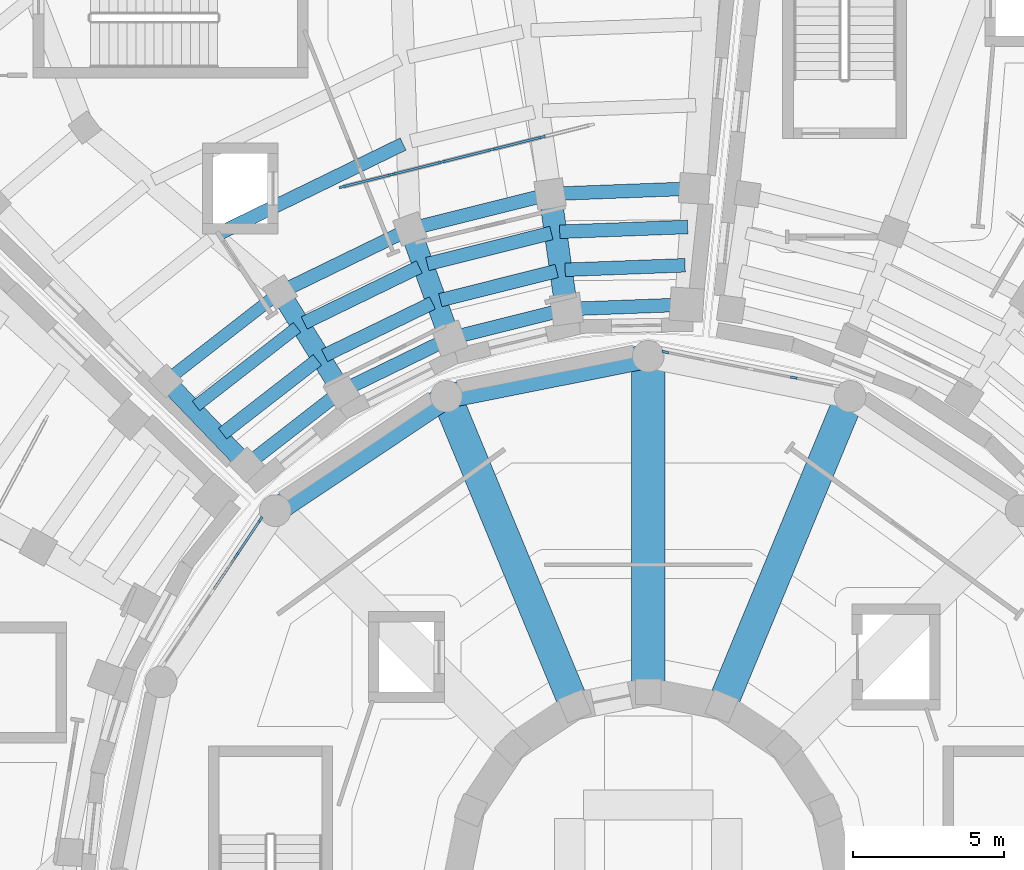
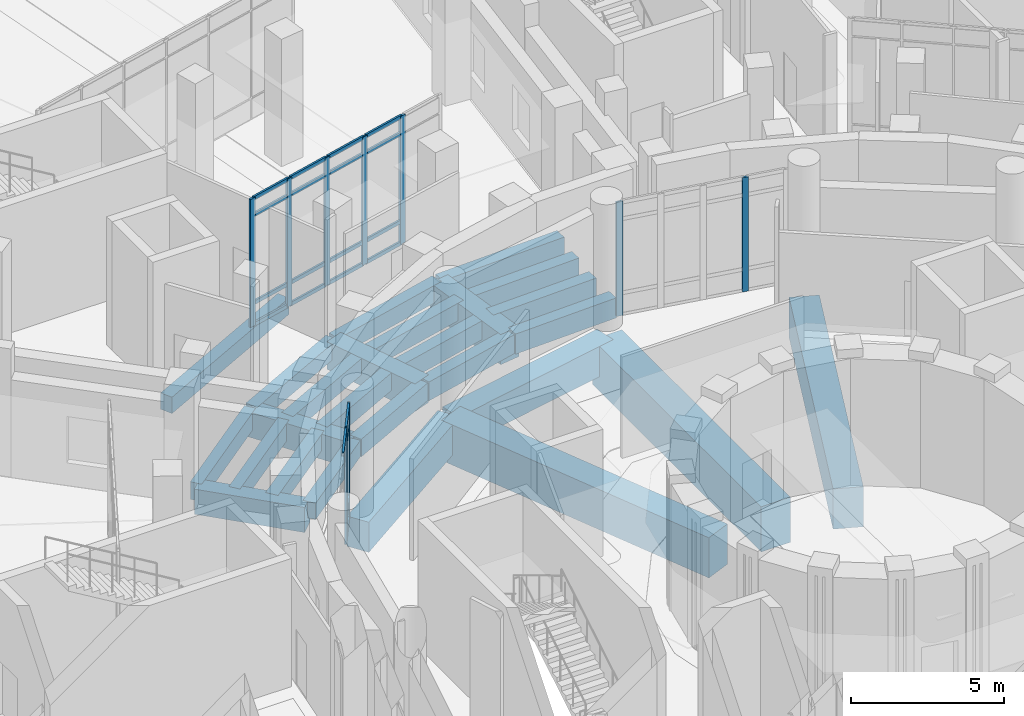
# One storey, part 23 of 74: 30 members, 26 beams, 3 elements without a shape of their own.
"""IFC4 building model written with IfcOpenShell, lengths in metres."""

from ifc_helpers import new_model, si_unit, direction, frame, origin, origin_2d, place, context, subcontext, project, spatial, rectangle, extrude, material, material_profile, profile_set, type_object, element, aggregate, save


model = new_model("IFC4")

# Units and contexts
model_context = context("Model", 3, precision=1e-05, world=origin(), true_north=direction((0.0, 1.0)))
body_context = subcontext(model_context, "Body", "Model", "MODEL_VIEW")
ifc_project = project(units=[si_unit("LENGTHUNIT", "METRE"), si_unit("AREAUNIT", "SQUARE_METRE"), si_unit("VOLUMEUNIT", "CUBIC_METRE"), si_unit("PLANEANGLEUNIT", "RADIAN"), si_unit("MASSUNIT", "GRAM", prefix="KILO")], contexts=[model_context])

# Site, building, storey
site_placement = place(None, origin())
site = spatial("IfcSite", under=ifc_project, at=site_placement, CompositionType="ELEMENT")
building_placement = place(site_placement, origin())
building = spatial("IfcBuilding", under=site, at=building_placement, Name="Soyqirgoq Riverine Aquarium", CompositionType="ELEMENT")
storey_placement = place(building_placement, origin())
storey = spatial("IfcBuildingStorey", under=building, at=storey_placement, Name="L01", CompositionType="ELEMENT", Elevation=0.0)

# Beams
ifc_material_1 = material(Name="Concrete C40/50", Category="concrete")
ifc_material_profile_1 = material_profile(ifc_material_1, rectangle(XDim=0.39990234375, YDim=0.699951171875, at=origin_2d()), Name="RC 400x700")
ifc_profile_set_1 = profile_set([ifc_material_profile_1], Name="Concrete C40/50")
beam_type_1 = type_object("IfcBeamType", Name="Beam_RC_400x700", PredefinedType="BEAM", material=ifc_profile_set_1)
beam_1_placement = place(storey_placement, frame((44.38037109375, 75.404296875, -0.699951171875), z_axis=(-0.789625269343, -0.613589385514, 0.0), x_axis=(0.613589385514, -0.789625269343, 0.0)))
element("IfcBeam", 1, at=beam_1_placement, inside=storey, type_object=beam_type_1, Name="V4 L01 Secondary Floor Joist 0497", PredefinedType="BEAM", context=body_context, shape_type="SweptSolid", body=[
    extrude(rectangle(XDim=0.39990234375, YDim=0.699951171875, at=origin_2d()), origin(), (0.0, 0.0, 1.0), 4.235595703125),
])
beam_2_placement = place(storey_placement, frame((43.780029296875, 76.5380859375, -0.699951171875), z_axis=(-0.789613455766, -0.613604588048, 0.0), x_axis=(0.613604588048, -0.789613455766, 0.0)))
element("IfcBeam", 2, at=beam_2_placement, inside=storey, type_object=beam_type_1, Name="V4 L01 Wedge Chord Beam 0501", PredefinedType="BEAM", context=body_context, shape_type="SweptSolid", body=[
    extrude(rectangle(XDim=0.39990234375, YDim=0.699951171875, at=origin_2d()), origin(), (0.0, 0.0, 1.0), 4.6787109375),
])
ifc_material_2 = material(Name="Concrete C40/50", Category="concrete")
ifc_material_profile_2 = material_profile(ifc_material_2, rectangle(XDim=0.449951171875, YDim=0.64990234375, at=origin_2d()), Name="RC 450x650")
ifc_profile_set_2 = profile_set([ifc_material_profile_2], Name="Concrete C40/50")
beam_type_2 = type_object("IfcBeamType", Name="Beam_RC_450x650", PredefinedType="BEAM", material=ifc_profile_set_2)
beam_3_placement = place(storey_placement, frame((45.814453125, 73.26953125, -0.675048828125), z_axis=(-0.789599462758, -0.613622594444, 0.0), x_axis=(0.613622594444, -0.789599462758, 0.0)))
element("IfcBeam", 3, at=beam_3_placement, inside=storey, type_object=beam_type_2, Name="V4 L01 Wedge Chord Beam 0489", PredefinedType="BEAM", context=body_context, shape_type="SweptSolid", body=[
    extrude(rectangle(XDim=0.449951171875, YDim=0.64990234375, at=origin_2d()), origin(), (0.0, 0.0, 1.0), 3.88037109375),
])
beam_4_placement = place(storey_placement, frame((48.425048828125, 77.40478515625, -0.675048828125), z_axis=(-0.899182988599, -0.437572797388, 0.0), x_axis=(0.437572797388, -0.899182988599, 0.0)))
element("IfcBeam", 4, at=beam_4_placement, inside=storey, type_object=beam_type_2, Name="V4 L01 Secondary Floor Joist 0495", PredefinedType="BEAM", context=body_context, shape_type="SweptSolid", body=[
    extrude(rectangle(XDim=0.449951171875, YDim=0.64990234375, at=origin_2d()), origin(), (0.0, 0.0, 1.0), 4.2353515625),
])
beam_5_placement = place(storey_placement, frame((45.0517578125, 74.32568359375, -0.675048828125), z_axis=(-0.789623525917, -0.613591629114, 0.0), x_axis=(0.613591629114, -0.789623525917, 0.0)))
element("IfcBeam", 5, at=beam_5_placement, inside=storey, type_object=beam_type_2, Name="V4 L01 Secondary Floor Joist 0496", PredefinedType="BEAM", context=body_context, shape_type="SweptSolid", body=[
    extrude(rectangle(XDim=0.449951171875, YDim=0.64990234375, at=origin_2d()), origin(), (0.0, 0.0, 1.0), 3.97216796875),
])
beam_6_placement = place(storey_placement, frame((48.0712890625, 78.637939453125, -0.675048828125), z_axis=(-0.899186813611, -0.437564937156, 0.0), x_axis=(0.437564937156, -0.899186813611, 0.0)))
element("IfcBeam", 6, at=beam_6_placement, inside=storey, type_object=beam_type_2, Name="V4 L01 Wedge Chord Beam 0500", PredefinedType="BEAM", context=body_context, shape_type="SweptSolid", body=[
    extrude(rectangle(XDim=0.449951171875, YDim=0.64990234375, at=origin_2d()), origin(), (0.0, 0.0, 1.0), 4.678466796875),
])
beam_7_placement = place(storey_placement, frame((47.8896484375, 81.47119140625, -0.675048828125), z_axis=(-0.899178845538, -0.437581311, 0.0), x_axis=(0.437581311, -0.899178845538, 0.0)))
element("IfcBeam", 7, at=beam_7_placement, inside=storey, type_object=beam_type_2, Name="V4 L01 Secondary Floor Joist 0506", PredefinedType="BEAM", context=body_context, shape_type="SweptSolid", body=[
    extrude(rectangle(XDim=0.449951171875, YDim=0.64990234375, at=origin_2d()), origin(), (0.0, 0.0, 1.0), 6.831298828125),
])
ifc_material_3 = material(Name="Concrete C40/50", Category="concrete")
ifc_material_profile_3 = material_profile(ifc_material_3, rectangle(XDim=0.449951171875, YDim=0.699951171875, at=origin_2d()), Name="RC 450x700")
ifc_profile_set_3 = profile_set([ifc_material_profile_3], Name="Concrete C40/50")
beam_type_3 = type_object("IfcBeamType", Name="Beam_RC_450x700", PredefinedType="BEAM", material=ifc_profile_set_3)
beam_8_placement = place(storey_placement, frame((49.38818359375, 75.020263671875, -0.699951171875), z_axis=(-0.899182237982, -0.437574339852, 0.0), x_axis=(0.437574339852, -0.899182237982, 0.0)))
element("IfcBeam", 8, at=beam_8_placement, inside=storey, type_object=beam_type_3, Name="V4 L01 Wedge Chord Beam 0488", PredefinedType="BEAM", context=body_context, shape_type="SweptSolid", body=[
    extrude(rectangle(XDim=0.449951171875, YDim=0.699951171875, at=origin_2d()), origin(), (0.0, 0.0, 1.0), 3.88037109375),
])
beam_9_placement = place(storey_placement, frame((52.79541015625, 78.5283203125, -0.699951171875), z_axis=(-0.970078041124, -0.242793315658, 0.0), x_axis=(0.242793315658, -0.970078041124, 0.0)))
element("IfcBeam", 9, at=beam_9_placement, inside=storey, type_object=beam_type_3, Name="V4 L01 Secondary Floor Joist 0493", PredefinedType="BEAM", context=body_context, shape_type="SweptSolid", body=[
    extrude(rectangle(XDim=0.449951171875, YDim=0.699951171875, at=origin_2d()), origin(), (0.0, 0.0, 1.0), 4.2353515625),
])
beam_10_placement = place(storey_placement, frame((48.859619140625, 76.2109375, -0.699951171875), z_axis=(-0.899182148298, -0.437574524146, 0.0), x_axis=(0.437574524146, -0.899182148298, 0.0)))
element("IfcBeam", 10, at=beam_10_placement, inside=storey, type_object=beam_type_3, Name="V4 L01 Secondary Floor Joist 0494", PredefinedType="BEAM", context=body_context, shape_type="SweptSolid", body=[
    extrude(rectangle(XDim=0.449951171875, YDim=0.699951171875, at=origin_2d()), origin(), (0.0, 0.0, 1.0), 3.971923828125),
])
beam_11_placement = place(storey_placement, frame((52.70361328125, 79.807861328125, -0.699951171875), z_axis=(-0.970090297051, -0.242744341987, 0.0), x_axis=(0.242744341987, -0.970090297051, 0.0)))
element("IfcBeam", 11, at=beam_11_placement, inside=storey, type_object=beam_type_3, Name="V4 L01 Wedge Chord Beam 0499", PredefinedType="BEAM", context=body_context, shape_type="SweptSolid", body=[
    extrude(rectangle(XDim=0.449951171875, YDim=0.699951171875, at=origin_2d()), origin(), (0.0, 0.0, 1.0), 4.6787109375),
])
ifc_material_4 = material(Name="Concrete C40/50", Category="concrete")
ifc_material_profile_4 = material_profile(ifc_material_4, rectangle(XDim=0.449951171875, YDim=0.75, at=origin_2d()), Name="RC 450x750")
ifc_profile_set_4 = profile_set([ifc_material_profile_4], Name="Concrete C40/50")
beam_type_4 = type_object("IfcBeamType", Name="Beam_RC_450x750", PredefinedType="BEAM", material=ifc_profile_set_4)
beam_12_placement = place(storey_placement, frame((53.24609375, 75.996337890625, -0.72509765625), z_axis=(-0.970079552948, -0.242787275104, 0.0), x_axis=(0.242787275104, -0.970079552948, 0.0)))
element("IfcBeam", 12, at=beam_12_placement, inside=storey, type_object=beam_type_4, Name="V4 L01 Wedge Chord Beam 0487", PredefinedType="BEAM", context=body_context, shape_type="SweptSolid", body=[
    extrude(rectangle(XDim=0.449951171875, YDim=0.75, at=origin_2d()), origin(), (0.0, 0.0, 1.0), 3.880615234375),
])
beam_13_placement = place(storey_placement, frame((57.303466796875, 78.726318359375, -0.72509765625), z_axis=(-0.999295671654, -0.037525466212, 0.0), x_axis=(0.037525466212, -0.999295671654, 0.0)))
element("IfcBeam", 13, at=beam_13_placement, inside=storey, type_object=beam_type_4, Name="V4 L01 Secondary Floor Joist 0491", PredefinedType="BEAM", context=body_context, shape_type="SweptSolid", body=[
    extrude(rectangle(XDim=0.449951171875, YDim=0.75, at=origin_2d()), origin(), (0.0, 0.0, 1.0), 4.2353515625),
])
beam_14_placement = place(storey_placement, frame((52.974365234375, 77.2705078125, -0.72509765625), z_axis=(-0.970077382162, -0.24279594852, 0.0), x_axis=(0.24279594852, -0.970077382162, 0.0)))
element("IfcBeam", 14, at=beam_14_placement, inside=storey, type_object=beam_type_4, Name="V4 L01 Secondary Floor Joist 0492", PredefinedType="BEAM", context=body_context, shape_type="SweptSolid", body=[
    extrude(rectangle(XDim=0.449951171875, YDim=0.75, at=origin_2d()), origin(), (0.0, 0.0, 1.0), 3.971923828125),
])
beam_15_placement = place(storey_placement, frame((57.4775390625, 79.997314453125, -0.72509765625), z_axis=(-0.999297859951, -0.037467146916, 0.0), x_axis=(0.037467146916, -0.999297859951, 0.0)))
element("IfcBeam", 15, at=beam_15_placement, inside=storey, type_object=beam_type_4, Name="V4 L01 Wedge Chord Beam 0498", PredefinedType="BEAM", context=body_context, shape_type="SweptSolid", body=[
    extrude(rectangle(XDim=0.449951171875, YDim=0.75, at=origin_2d()), origin(), (0.0, 0.0, 1.0), 4.678466796875),
])
ifc_material_5 = material(Name="Concrete C40/50", Category="concrete")
ifc_material_profile_5 = material_profile(ifc_material_5, rectangle(XDim=0.449951171875, YDim=0.800048828125, at=origin_2d()), Name="RC 450x800")
ifc_profile_set_5 = profile_set([ifc_material_profile_5], Name="Concrete C40/50")
beam_type_5 = type_object("IfcBeamType", Name="Beam_RC_450x800", PredefinedType="BEAM", material=ifc_profile_set_5)
beam_16_placement = place(storey_placement, frame((57.222412109375, 76.156005859375, -0.75), z_axis=(-0.999296702447, -0.037498006337, 0.0), x_axis=(0.037498006337, -0.999296702447, 0.0)))
element("IfcBeam", 16, at=beam_16_placement, inside=storey, type_object=beam_type_5, Name="V4 L01 Wedge Chord Beam 0486", PredefinedType="BEAM", context=body_context, shape_type="SweptSolid", body=[
    extrude(rectangle(XDim=0.449951171875, YDim=0.800048828125, at=origin_2d()), origin(), (0.0, 0.0, 1.0), 3.88037109375),
])
beam_17_placement = place(storey_placement, frame((57.21923828125, 77.458740234375, -0.75), z_axis=(-0.999296781045, -0.037495911696, 0.0), x_axis=(0.037495911696, -0.999296781045, 0.0)))
element("IfcBeam", 17, at=beam_17_placement, inside=storey, type_object=beam_type_5, Name="V4 L01 Secondary Floor Joist 0490", PredefinedType="BEAM", context=body_context, shape_type="SweptSolid", body=[
    extrude(rectangle(XDim=0.449951171875, YDim=0.800048828125, at=origin_2d()), origin(), (0.0, 0.0, 1.0), 3.9716796875),
])

# Curtain wall, members
ifc_material_6 = material(Name="Anodised aluminium thermally broken triple low-E glazing", Category="aluminium")
curtain_wall_type_1 = type_object("IfcCurtainWallType", Name="CW_DrumGallery_Unitised", PredefinedType="NOTDEFINED", material=ifc_material_6)
curtain_wall_1_placement = place(storey_placement, origin())
curtain_wall_1 = element("IfcCurtainWall", 18, at=curtain_wall_1_placement, inside=storey, type_object=curtain_wall_type_1, Name="V1 L01 Curtain Wall 012", PredefinedType="NOTDEFINED")
ifc_material_7 = material(Name="Anodised aluminium 6063-T6", Category="aluminium")
ifc_material_profile_6 = material_profile(ifc_material_7, rectangle(XDim=0.080078125, YDim=0.219970703125, at=origin_2d()), Name="ALU-M 80x220")
ifc_profile_set_6 = profile_set([ifc_material_profile_6], Name="Anodised aluminium 6063-T6")
member_type_1 = type_object("IfcMemberType", Name="CWMullion_80x220", PredefinedType="MULLION", material=ifc_profile_set_6)
member_1_placement = place(storey_placement, frame((60.81787109375, 73.74169921875, 0.0), z_axis=(0.0, 0.0, 1.0), x_axis=(-0.195074782196, -0.980788371338, 0.0)))
member_1 = element("IfcMember", 19, at=member_1_placement, type_object=member_type_1, Name="CW-01 mullion 2", PredefinedType="MULLION", context=body_context, shape_type="SweptSolid", body=[
    extrude(rectangle(XDim=0.080078125, YDim=0.219970703125, at=origin_2d()), origin(), (0.0, 0.0, 1.0), 4.550048828125),
])
member_2_placement = place(storey_placement, frame((56.56396484375, 74.587890625, 0.0), z_axis=(0.0, 0.0, 1.0), x_axis=(-0.195074782196, -0.980788371338, 0.0)))
member_2 = element("IfcMember", 20, at=member_2_placement, type_object=member_type_1, Name="CW-01 mullion 5", PredefinedType="MULLION", context=body_context, shape_type="SweptSolid", body=[
    extrude(rectangle(XDim=0.080078125, YDim=0.219970703125, at=origin_2d()), origin(), (0.0, 0.0, 1.0), 4.550048828125),
])
aggregate(curtain_wall_1, [member_1, member_2])

curtain_wall_2_placement = place(storey_placement, origin())
curtain_wall_2 = element("IfcCurtainWall", 21, at=curtain_wall_2_placement, inside=storey, type_object=curtain_wall_type_1, Name="V1 L01 Curtain Wall 023", PredefinedType="NOTDEFINED")
member_3_placement = place(storey_placement, frame((43.164794921875, 69.037841796875, 0.0), z_axis=(0.0, 0.0, 1.0), x_axis=(0.831467275509, -0.555573730262, 0.0)))
member_3 = element("IfcMember", 22, at=member_3_placement, type_object=member_type_1, Name="CW-01 mullion 1", PredefinedType="MULLION", context=body_context, shape_type="SweptSolid", body=[
    extrude(rectangle(XDim=0.080078125, YDim=0.219970703125, at=origin_2d()), origin(), (0.0, 0.0, 1.0), 4.550048828125),
])
member_4_placement = place(storey_placement, frame((42.37646484375, 67.85791015625, 0.0), z_axis=(0.0, 0.0, 1.0), x_axis=(0.831467275509, -0.555573730262, 0.0)))
member_4 = element("IfcMember", 23, at=member_4_placement, type_object=member_type_1, Name="CW-01 mullion 2", PredefinedType="MULLION", context=body_context, shape_type="SweptSolid", body=[
    extrude(rectangle(XDim=0.080078125, YDim=0.219970703125, at=origin_2d()), origin(), (0.0, 0.0, 1.0), 4.550048828125),
])

ifc_material_8 = material(Name="Cast polymethyl methacrylate PMMA Habitat Viewing Glazing", Category="glass")
curtain_wall_type_2 = type_object("IfcCurtainWallType", Name="CW_Interior_TankVitrine", PredefinedType="NOTDEFINED", material=ifc_material_8)
curtain_wall_3_placement = place(storey_placement, origin())
curtain_wall_3 = element("IfcCurtainWall", 24, at=curtain_wall_3_placement, inside=storey, type_object=curtain_wall_type_2, Name="V4 L01 Curtain Wall 151", PredefinedType="NOTDEFINED")
member_5_placement = place(storey_placement, frame((52.485595703125, 81.70068359375, 0.0), z_axis=(0.0, 0.0, 1.0), x_axis=(0.241922023881, -0.970295694292, 0.0)))
member_5 = element("IfcMember", 25, at=member_5_placement, type_object=member_type_1, Name="CW-07 mullion 2", PredefinedType="MULLION", context=body_context, shape_type="SweptSolid", body=[
    extrude(rectangle(XDim=0.080078125, YDim=0.219970703125, at=origin_2d()), origin(), (0.0, 0.0, 1.0), 5.10009765625),
])
member_6_placement = place(storey_placement, frame((50.825927734375, 81.286865234375, 0.0), z_axis=(0.0, 0.0, 1.0), x_axis=(0.241922023881, -0.970295694292, 0.0)))
member_6 = element("IfcMember", 26, at=member_6_placement, type_object=member_type_1, Name="CW-07 mullion 3", PredefinedType="MULLION", context=body_context, shape_type="SweptSolid", body=[
    extrude(rectangle(XDim=0.080078125, YDim=0.219970703125, at=origin_2d()), origin(), (0.0, 0.0, 1.0), 5.10009765625),
])
member_7_placement = place(storey_placement, frame((49.166259765625, 80.873046875, 0.0), z_axis=(0.0, 0.0, 1.0), x_axis=(0.241922023881, -0.970295694292, 0.0)))
member_7 = element("IfcMember", 27, at=member_7_placement, type_object=member_type_1, Name="CW-07 mullion 4", PredefinedType="MULLION", context=body_context, shape_type="SweptSolid", body=[
    extrude(rectangle(XDim=0.080078125, YDim=0.219970703125, at=origin_2d()), origin(), (0.0, 0.0, 1.0), 5.10009765625),
])
member_8_placement = place(storey_placement, frame((47.5068359375, 80.459228515625, 0.0), z_axis=(0.0, 0.0, 1.0), x_axis=(0.241922023881, -0.970295694292, 0.0)))
member_8 = element("IfcMember", 28, at=member_8_placement, type_object=member_type_1, Name="CW-07 mullion 5", PredefinedType="MULLION", context=body_context, shape_type="SweptSolid", body=[
    extrude(rectangle(XDim=0.080078125, YDim=0.219970703125, at=origin_2d()), origin(), (0.0, 0.0, 1.0), 5.10009765625),
])
member_9_placement = place(storey_placement, frame((45.885986328125, 80.05517578125, 0.0), z_axis=(0.0, 0.0, 1.0), x_axis=(0.241922023881, -0.970295694292, 0.0)))
member_9 = element("IfcMember", 29, at=member_9_placement, type_object=member_type_1, Name="CW-07 mullion 6", PredefinedType="MULLION", context=body_context, shape_type="SweptSolid", body=[
    extrude(rectangle(XDim=0.080078125, YDim=0.219970703125, at=origin_2d()), origin(), (0.0, 0.0, 1.0), 5.10009765625),
])

# Member
ifc_material_9 = material(Name="Anodised aluminium 6063-T6", Category="aluminium")
ifc_material_profile_7 = material_profile(ifc_material_9, rectangle(XDim=0.074951171875, YDim=0.14990234375, at=origin_2d()), Name="ALU-T 75x150")
ifc_profile_set_7 = profile_set([ifc_material_profile_7], Name="Anodised aluminium 6063-T6")
member_type_2 = type_object("IfcMemberType", Name="CWTransom_75x150", PredefinedType="USERDEFINED", material=ifc_profile_set_7)
member_10_placement = place(storey_placement, frame((43.142578125, 69.00439453125, 0.03759765625), z_axis=(-0.555583520837, -0.831460733513, 0.0), x_axis=(0.831460733513, -0.555583520837, 0.0)))
member_10 = element("IfcMember", 30, at=member_10_placement, type_object=member_type_2, Name="CW-01 transom 1.1", ObjectType="TRANSOM", PredefinedType="USERDEFINED", context=body_context, shape_type="SweptSolid", body=[
    extrude(rectangle(XDim=0.074951171875, YDim=0.14990234375, at=origin_2d()), origin(), (0.0, 0.0, 1.0), 1.3388671875),
])

member_11_placement = place(storey_placement, frame((43.142578125, 69.00439453125, 0.89990234375), z_axis=(-0.555583520837, -0.831460733513, 0.0), x_axis=(0.831460733513, -0.555583520837, 0.0)))
member_11 = element("IfcMember", 31, at=member_11_placement, type_object=member_type_2, Name="CW-01 transom 1.2", ObjectType="TRANSOM", PredefinedType="USERDEFINED", context=body_context, shape_type="SweptSolid", body=[
    extrude(rectangle(XDim=0.074951171875, YDim=0.14990234375, at=origin_2d()), origin(), (0.0, 0.0, 1.0), 1.3388671875),
])

member_12_placement = place(storey_placement, frame((43.142578125, 69.00439453125, 3.85009765625), z_axis=(-0.555583520837, -0.831460733513, 0.0), x_axis=(0.831460733513, -0.555583520837, 0.0)))
member_12 = element("IfcMember", 32, at=member_12_placement, type_object=member_type_2, Name="CW-01 transom 1.3", ObjectType="TRANSOM", PredefinedType="USERDEFINED", context=body_context, shape_type="SweptSolid", body=[
    extrude(rectangle(XDim=0.074951171875, YDim=0.14990234375, at=origin_2d()), origin(), (0.0, 0.0, 1.0), 1.3388671875),
])

member_13_placement = place(storey_placement, frame((43.142578125, 69.00439453125, 4.512451171875), z_axis=(-0.555583520837, -0.831460733513, 0.0), x_axis=(0.831460733513, -0.555583520837, 0.0)))
member_13 = element("IfcMember", 33, at=member_13_placement, type_object=member_type_2, Name="CW-01 transom 1.4", ObjectType="TRANSOM", PredefinedType="USERDEFINED", context=body_context, shape_type="SweptSolid", body=[
    extrude(rectangle(XDim=0.074951171875, YDim=0.14990234375, at=origin_2d()), origin(), (0.0, 0.0, 1.0), 1.3388671875),
])

member_14_placement = place(storey_placement, frame((42.354248046875, 67.824462890625, 4.512451171875), z_axis=(-0.555721149297, -0.831368753456, 0.0), x_axis=(0.831368753456, -0.555721149297, 0.0)))
member_14 = element("IfcMember", 34, at=member_14_placement, type_object=member_type_2, Name="CW-01 transom 2.4", ObjectType="TRANSOM", PredefinedType="USERDEFINED", context=body_context, shape_type="SweptSolid", body=[
    extrude(rectangle(XDim=0.074951171875, YDim=0.14990234375, at=origin_2d()), origin(), (0.0, 0.0, 1.0), 1.379150390625),
])

aggregate(curtain_wall_2, [member_3, member_4, member_10, member_11, member_12, member_13, member_14])

member_15_placement = place(storey_placement, frame((52.44677734375, 81.69091796875, 0.03759765625), z_axis=(-0.970318409519, -0.241830899903, 0.0), x_axis=(0.241830899903, -0.970318409519, 0.0)))
member_15 = element("IfcMember", 35, at=member_15_placement, type_object=member_type_2, Name="CW-07 transom 2.1", ObjectType="TRANSOM", PredefinedType="USERDEFINED", context=body_context, shape_type="SweptSolid", body=[
    extrude(rectangle(XDim=0.074951171875, YDim=0.14990234375, at=origin_2d()), origin(), (0.0, 0.0, 1.0), 1.63037109375),
])

member_16_placement = place(storey_placement, frame((52.44677734375, 81.69091796875, 0.89990234375), z_axis=(-0.970318409519, -0.241830899903, 0.0), x_axis=(0.241830899903, -0.970318409519, 0.0)))
member_16 = element("IfcMember", 36, at=member_16_placement, type_object=member_type_2, Name="CW-07 transom 2.2", ObjectType="TRANSOM", PredefinedType="USERDEFINED", context=body_context, shape_type="SweptSolid", body=[
    extrude(rectangle(XDim=0.074951171875, YDim=0.14990234375, at=origin_2d()), origin(), (0.0, 0.0, 1.0), 1.63037109375),
])

member_17_placement = place(storey_placement, frame((52.44677734375, 81.69091796875, 4.39990234375), z_axis=(-0.970318409519, -0.241830899903, 0.0), x_axis=(0.241830899903, -0.970318409519, 0.0)))
member_17 = element("IfcMember", 37, at=member_17_placement, type_object=member_type_2, Name="CW-07 transom 2.3", ObjectType="TRANSOM", PredefinedType="USERDEFINED", context=body_context, shape_type="SweptSolid", body=[
    extrude(rectangle(XDim=0.074951171875, YDim=0.14990234375, at=origin_2d()), origin(), (0.0, 0.0, 1.0), 1.63037109375),
])

member_18_placement = place(storey_placement, frame((52.44677734375, 81.69091796875, 5.0625), z_axis=(-0.970318409519, -0.241830899903, 0.0), x_axis=(0.241830899903, -0.970318409519, 0.0)))
member_18 = element("IfcMember", 38, at=member_18_placement, type_object=member_type_2, Name="CW-07 transom 2.4", ObjectType="TRANSOM", PredefinedType="USERDEFINED", context=body_context, shape_type="SweptSolid", body=[
    extrude(rectangle(XDim=0.074951171875, YDim=0.14990234375, at=origin_2d()), origin(), (0.0, 0.0, 1.0), 1.63037109375),
])

member_19_placement = place(storey_placement, frame((50.787109375, 81.277099609375, 0.03759765625), z_axis=(-0.970318409519, -0.241830899903, 0.0), x_axis=(0.241830899903, -0.970318409519, 0.0)))
member_19 = element("IfcMember", 39, at=member_19_placement, type_object=member_type_2, Name="CW-07 transom 3.1", ObjectType="TRANSOM", PredefinedType="USERDEFINED", context=body_context, shape_type="SweptSolid", body=[
    extrude(rectangle(XDim=0.074951171875, YDim=0.14990234375, at=origin_2d()), origin(), (0.0, 0.0, 1.0), 1.63037109375),
])

member_20_placement = place(storey_placement, frame((50.787109375, 81.277099609375, 0.89990234375), z_axis=(-0.970318409519, -0.241830899903, 0.0), x_axis=(0.241830899903, -0.970318409519, 0.0)))
member_20 = element("IfcMember", 40, at=member_20_placement, type_object=member_type_2, Name="CW-07 transom 3.2", ObjectType="TRANSOM", PredefinedType="USERDEFINED", context=body_context, shape_type="SweptSolid", body=[
    extrude(rectangle(XDim=0.074951171875, YDim=0.14990234375, at=origin_2d()), origin(), (0.0, 0.0, 1.0), 1.63037109375),
])

member_21_placement = place(storey_placement, frame((50.787109375, 81.277099609375, 4.39990234375), z_axis=(-0.970318409519, -0.241830899903, 0.0), x_axis=(0.241830899903, -0.970318409519, 0.0)))
member_21 = element("IfcMember", 41, at=member_21_placement, type_object=member_type_2, Name="CW-07 transom 3.3", ObjectType="TRANSOM", PredefinedType="USERDEFINED", context=body_context, shape_type="SweptSolid", body=[
    extrude(rectangle(XDim=0.074951171875, YDim=0.14990234375, at=origin_2d()), origin(), (0.0, 0.0, 1.0), 1.63037109375),
])

member_22_placement = place(storey_placement, frame((50.787109375, 81.277099609375, 5.0625), z_axis=(-0.970318409519, -0.241830899903, 0.0), x_axis=(0.241830899903, -0.970318409519, 0.0)))
member_22 = element("IfcMember", 42, at=member_22_placement, type_object=member_type_2, Name="CW-07 transom 3.4", ObjectType="TRANSOM", PredefinedType="USERDEFINED", context=body_context, shape_type="SweptSolid", body=[
    extrude(rectangle(XDim=0.074951171875, YDim=0.14990234375, at=origin_2d()), origin(), (0.0, 0.0, 1.0), 1.63037109375),
])

member_23_placement = place(storey_placement, frame((49.12744140625, 80.86328125, 0.03759765625), z_axis=(-0.970309650459, -0.241866041903, 0.0), x_axis=(0.241866041903, -0.970309650459, 0.0)))
member_23 = element("IfcMember", 43, at=member_23_placement, type_object=member_type_2, Name="CW-07 transom 4.1", ObjectType="TRANSOM", PredefinedType="USERDEFINED", context=body_context, shape_type="SweptSolid", body=[
    extrude(rectangle(XDim=0.074951171875, YDim=0.14990234375, at=origin_2d()), origin(), (0.0, 0.0, 1.0), 1.630126953125),
])

member_24_placement = place(storey_placement, frame((49.12744140625, 80.86328125, 0.89990234375), z_axis=(-0.970309650459, -0.241866041903, 0.0), x_axis=(0.241866041903, -0.970309650459, 0.0)))
member_24 = element("IfcMember", 44, at=member_24_placement, type_object=member_type_2, Name="CW-07 transom 4.2", ObjectType="TRANSOM", PredefinedType="USERDEFINED", context=body_context, shape_type="SweptSolid", body=[
    extrude(rectangle(XDim=0.074951171875, YDim=0.14990234375, at=origin_2d()), origin(), (0.0, 0.0, 1.0), 1.630126953125),
])

member_25_placement = place(storey_placement, frame((49.12744140625, 80.86328125, 4.39990234375), z_axis=(-0.970309650459, -0.241866041903, 0.0), x_axis=(0.241866041903, -0.970309650459, 0.0)))
member_25 = element("IfcMember", 45, at=member_25_placement, type_object=member_type_2, Name="CW-07 transom 4.3", ObjectType="TRANSOM", PredefinedType="USERDEFINED", context=body_context, shape_type="SweptSolid", body=[
    extrude(rectangle(XDim=0.074951171875, YDim=0.14990234375, at=origin_2d()), origin(), (0.0, 0.0, 1.0), 1.630126953125),
])

member_26_placement = place(storey_placement, frame((49.12744140625, 80.86328125, 5.0625), z_axis=(-0.970309650459, -0.241866041903, 0.0), x_axis=(0.241866041903, -0.970309650459, 0.0)))
member_26 = element("IfcMember", 46, at=member_26_placement, type_object=member_type_2, Name="CW-07 transom 4.4", ObjectType="TRANSOM", PredefinedType="USERDEFINED", context=body_context, shape_type="SweptSolid", body=[
    extrude(rectangle(XDim=0.074951171875, YDim=0.14990234375, at=origin_2d()), origin(), (0.0, 0.0, 1.0), 1.630126953125),
])

member_27_placement = place(storey_placement, frame((47.468017578125, 80.44970703125, 0.03759765625), z_axis=(-0.970295809366, -0.241921562342, 0.0), x_axis=(0.241921562342, -0.970295809366, 0.0)))
member_27 = element("IfcMember", 47, at=member_27_placement, type_object=member_type_2, Name="CW-07 transom 5.1", ObjectType="TRANSOM", PredefinedType="USERDEFINED", context=body_context, shape_type="SweptSolid", body=[
    extrude(rectangle(XDim=0.074951171875, YDim=0.14990234375, at=origin_2d()), origin(), (0.0, 0.0, 1.0), 1.590576171875),
])

member_28_placement = place(storey_placement, frame((47.468017578125, 80.44970703125, 0.89990234375), z_axis=(-0.970295809366, -0.241921562342, 0.0), x_axis=(0.241921562342, -0.970295809366, 0.0)))
member_28 = element("IfcMember", 48, at=member_28_placement, type_object=member_type_2, Name="CW-07 transom 5.2", ObjectType="TRANSOM", PredefinedType="USERDEFINED", context=body_context, shape_type="SweptSolid", body=[
    extrude(rectangle(XDim=0.074951171875, YDim=0.14990234375, at=origin_2d()), origin(), (0.0, 0.0, 1.0), 1.590576171875),
])

member_29_placement = place(storey_placement, frame((47.468017578125, 80.44970703125, 4.39990234375), z_axis=(-0.970295809366, -0.241921562342, 0.0), x_axis=(0.241921562342, -0.970295809366, 0.0)))
member_29 = element("IfcMember", 49, at=member_29_placement, type_object=member_type_2, Name="CW-07 transom 5.3", ObjectType="TRANSOM", PredefinedType="USERDEFINED", context=body_context, shape_type="SweptSolid", body=[
    extrude(rectangle(XDim=0.074951171875, YDim=0.14990234375, at=origin_2d()), origin(), (0.0, 0.0, 1.0), 1.590576171875),
])

member_30_placement = place(storey_placement, frame((47.468017578125, 80.44970703125, 5.0625), z_axis=(-0.970295809366, -0.241921562342, 0.0), x_axis=(0.241921562342, -0.970295809366, 0.0)))
member_30 = element("IfcMember", 50, at=member_30_placement, type_object=member_type_2, Name="CW-07 transom 5.4", ObjectType="TRANSOM", PredefinedType="USERDEFINED", context=body_context, shape_type="SweptSolid", body=[
    extrude(rectangle(XDim=0.074951171875, YDim=0.14990234375, at=origin_2d()), origin(), (0.0, 0.0, 1.0), 1.590576171875),
])

aggregate(curtain_wall_3, [member_5, member_6, member_7, member_8, member_9, member_15, member_16, member_17, member_18, member_19, member_20, member_21, member_22, member_23, member_24, member_25, member_26, member_27, member_28, member_29, member_30])

# Beams
ifc_material_10 = material(Name="Concrete C40/50", Category="concrete")
ifc_material_profile_8 = material_profile(ifc_material_10, rectangle(XDim=0.60009765625, YDim=1.0, at=origin_2d()), Name="RC 600x1000")
ifc_profile_set_8 = profile_set([ifc_material_profile_8], Name="Concrete C40/50")
beam_type_6 = type_object("IfcBeamType", Name="Girder_RC_600x1000", PredefinedType="BEAM", material=ifc_profile_set_8)
beam_18_placement = place(storey_placement, frame((42.67626953125, 70.893798828125, -0.85009765625), z_axis=(-0.692107537642, 0.721794400324, 0.0), x_axis=(-0.721794400324, -0.692107537642, 0.0)))
element("IfcBeam", 51, at=beam_18_placement, inside=storey, type_object=beam_type_6, Name="V4 L01 Wedge Radial Girder 0482", PredefinedType="BEAM", context=body_context, shape_type="SweptSolid", body=[
    extrude(rectangle(XDim=0.60009765625, YDim=1.0, at=origin_2d()), origin(), (0.0, 0.0, 1.0), 3.75),
])
ifc_material_11 = material(Name="Concrete C40/50", Category="concrete")
ifc_material_profile_9 = material_profile(ifc_material_11, rectangle(XDim=0.64990234375, YDim=1.0, at=origin_2d()), Name="RC 650x1000")
ifc_profile_set_9 = profile_set([ifc_material_profile_9], Name="Concrete C40/50")
beam_type_7 = type_object("IfcBeamType", Name="Girder_RC_650x1000", PredefinedType="BEAM", material=ifc_profile_set_9)
beam_19_placement = place(storey_placement, frame((45.82763671875, 73.3427734375, -0.85009765625), z_axis=(-0.528453109017, 0.848962491262, 0.0), x_axis=(-0.848962491262, -0.528453109017, 0.0)))
element("IfcBeam", 52, at=beam_19_placement, inside=storey, type_object=beam_type_7, Name="V4 L01 Wedge Radial Girder 0478", PredefinedType="BEAM", context=body_context, shape_type="SweptSolid", body=[
    extrude(rectangle(XDim=0.64990234375, YDim=1.0, at=origin_2d()), origin(), (0.0, 0.0, 1.0), 3.75),
])
ifc_material_12 = material(Name="Concrete C40/50", Category="concrete")
ifc_material_profile_10 = material_profile(ifc_material_12, rectangle(XDim=0.699951171875, YDim=1.10009765625, at=origin_2d()), Name="RC 700x1100")
ifc_profile_set_10 = profile_set([ifc_material_profile_10], Name="Concrete C40/50")
beam_type_8 = type_object("IfcBeamType", Name="Girder_RC_700x1100", PredefinedType="BEAM", material=ifc_profile_set_10)
beam_20_placement = place(storey_placement, frame((49.416015625, 75.089111328125, -0.89990234375), z_axis=(-0.342009657388, 0.939696437289, 0.0), x_axis=(-0.939696437289, -0.342009657388, 0.0)))
element("IfcBeam", 53, at=beam_20_placement, inside=storey, type_object=beam_type_8, Name="V4 L01 Wedge Radial Girder 0474", PredefinedType="BEAM", context=body_context, shape_type="SweptSolid", body=[
    extrude(rectangle(XDim=0.699951171875, YDim=1.10009765625, at=origin_2d()), origin(), (0.0, 0.0, 1.0), 3.749755859375),
])
ifc_material_13 = material(Name="Concrete C40/50", Category="concrete")
ifc_material_profile_11 = material_profile(ifc_material_13, rectangle(XDim=0.75, YDim=1.199951171875, at=origin_2d()), Name="RC 750x1200")
ifc_profile_set_11 = profile_set([ifc_material_profile_11], Name="Concrete C40/50")
beam_type_9 = type_object("IfcBeamType", Name="Girder_RC_750x1200", PredefinedType="BEAM", material=ifc_profile_set_11)
beam_21_placement = place(storey_placement, frame((53.28759765625, 76.05810546875, -0.949951171875), z_axis=(-0.140892663047, 0.990024877212, 0.0), x_axis=(-0.990024877212, -0.140892663047, 0.0)))
element("IfcBeam", 54, at=beam_21_placement, inside=storey, type_object=beam_type_9, Name="V4 L01 Wedge Radial Girder 0470", PredefinedType="BEAM", context=body_context, shape_type="SweptSolid", body=[
    extrude(rectangle(XDim=0.75, YDim=1.199951171875, at=origin_2d()), origin(), (0.0, 0.0, 1.0), 3.749755859375),
])
ifc_material_14 = material(Name="Concrete C40/50", Category="concrete")
ifc_material_profile_12 = material_profile(ifc_material_14, rectangle(XDim=0.800048828125, YDim=1.199951171875, at=origin_2d()), Name="RC 800x1200")
ifc_profile_set_12 = profile_set([ifc_material_profile_12], Name="Concrete C40/50")
beam_type_10 = type_object("IfcBeamType", Name="Girder_RC_800x1200", PredefinedType="BEAM", material=ifc_profile_set_12)
beam_22_placement = place(storey_placement, frame((55.950927734375, 74.440185546875, -1.050048828125), z_axis=(-0.980791457792, -0.195059263618, 0.0), x_axis=(0.195059263618, -0.980791457792, 0.0)))
element("IfcBeam", 55, at=beam_22_placement, inside=storey, type_object=beam_type_10, Name="V1 L01 Drum Ring Girder 0008", PredefinedType="BEAM", context=body_context, shape_type="SweptSolid", body=[
    extrude(rectangle(XDim=0.800048828125, YDim=1.199951171875, at=origin_2d()), origin(), (0.0, 0.0, 1.0), 6.708740234375),
])
beam_23_placement = place(storey_placement, frame((49.280517578125, 73.093994140625, -1.050048828125), z_axis=(-0.831450738832, -0.555598478126, 0.0), x_axis=(0.555598478126, -0.831450738832, 0.0)))
element("IfcBeam", 56, at=beam_23_placement, inside=storey, type_object=beam_type_10, Name="V1 L01 Drum Ring Girder 0010", PredefinedType="BEAM", context=body_context, shape_type="SweptSolid", body=[
    extrude(rectangle(XDim=0.800048828125, YDim=1.199951171875, at=origin_2d()), origin(), (0.0, 0.0, 1.0), 6.70849609375),
])
ifc_material_15 = material(Name="Waterproof concrete C45/55", Category="concrete")
ifc_material_profile_13 = material_profile(ifc_material_15, rectangle(XDim=1.0, YDim=1.60009765625, at=origin_2d()), Name="RC 1000x1600")
ifc_profile_set_13 = profile_set([ifc_material_profile_13], Name="Waterproof concrete C45/55")
beam_type_11 = type_object("IfcBeamType", Name="TransferGirder_1000x1600", PredefinedType="BEAM", material=ifc_profile_set_13)
for number, where, z_axis, x_axis, name in (
    (57, (58.44921875, 62.912841796875, -1.25), (0.382682414152, 0.923879954268, 0.0), (-0.923879954268, 0.382682414152, 0.0), "V1 L01 Radial Transfer Girder 0005"),
    (58, (53.55078125, 62.912841796875, -1.25), (-0.382682414152, 0.923879954268, 0.0), (-0.923879954268, -0.382682414152, 0.0), "V1 L01 Radial Transfer Girder 0009"),
):
    element("IfcBeam", number, at=place(storey_placement, frame(where, z_axis=z_axis, x_axis=x_axis)), inside=storey, type_object=beam_type_11, Name=name, PredefinedType="BEAM", context=body_context, shape_type="SweptSolid", body=[
        extrude(rectangle(XDim=1.0, YDim=1.60009765625, at=origin_2d()), origin(), (0.0, 0.0, 1.0), 11.0),
    ])
ifc_material_16 = material(Name="Waterproof concrete C45/55", Category="concrete")
ifc_material_profile_14 = material_profile(ifc_material_16, rectangle(XDim=1.10009765625, YDim=1.800048828125, at=origin_2d()), Name="RC 1100x1800")
ifc_profile_set_14 = profile_set([ifc_material_profile_14], Name="Waterproof concrete C45/55")
beam_type_12 = type_object("IfcBeamType", Name="TransferGirder_1100x1800", PredefinedType="BEAM", material=ifc_profile_set_14)
beam_24_placement = place(storey_placement, frame((56.0, 63.39990234375, -1.35009765625), z_axis=(0.0, 1.0, 0.0), x_axis=(-1.0, 0.0, 0.0)))
element("IfcBeam", 59, at=beam_24_placement, inside=storey, type_object=beam_type_12, Name="V1 L01 Radial Transfer Girder 0007", PredefinedType="BEAM", context=body_context, shape_type="SweptSolid", body=[
    extrude(rectangle(XDim=1.10009765625, YDim=1.800048828125, at=origin_2d()), origin(), (0.0, 0.0, 1.0), 11.0),
])

save(model, "model.ifc")
